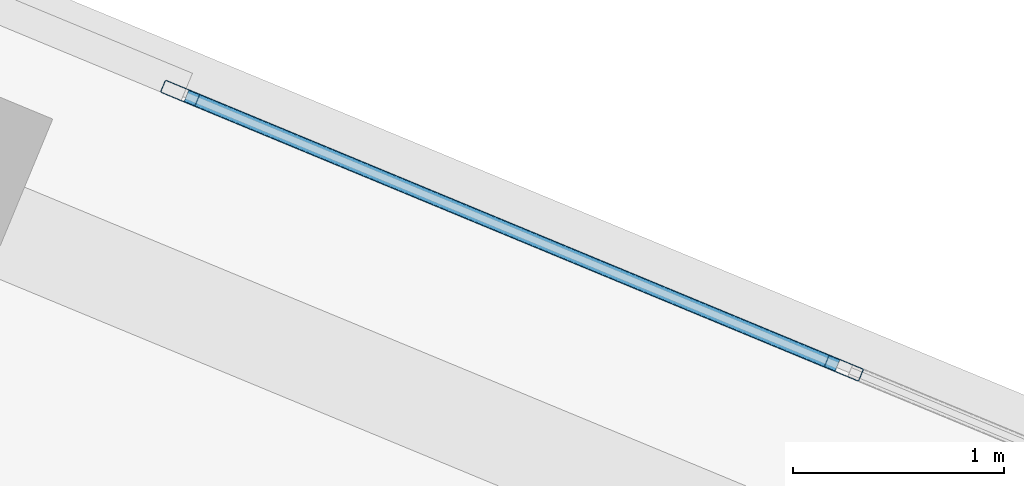
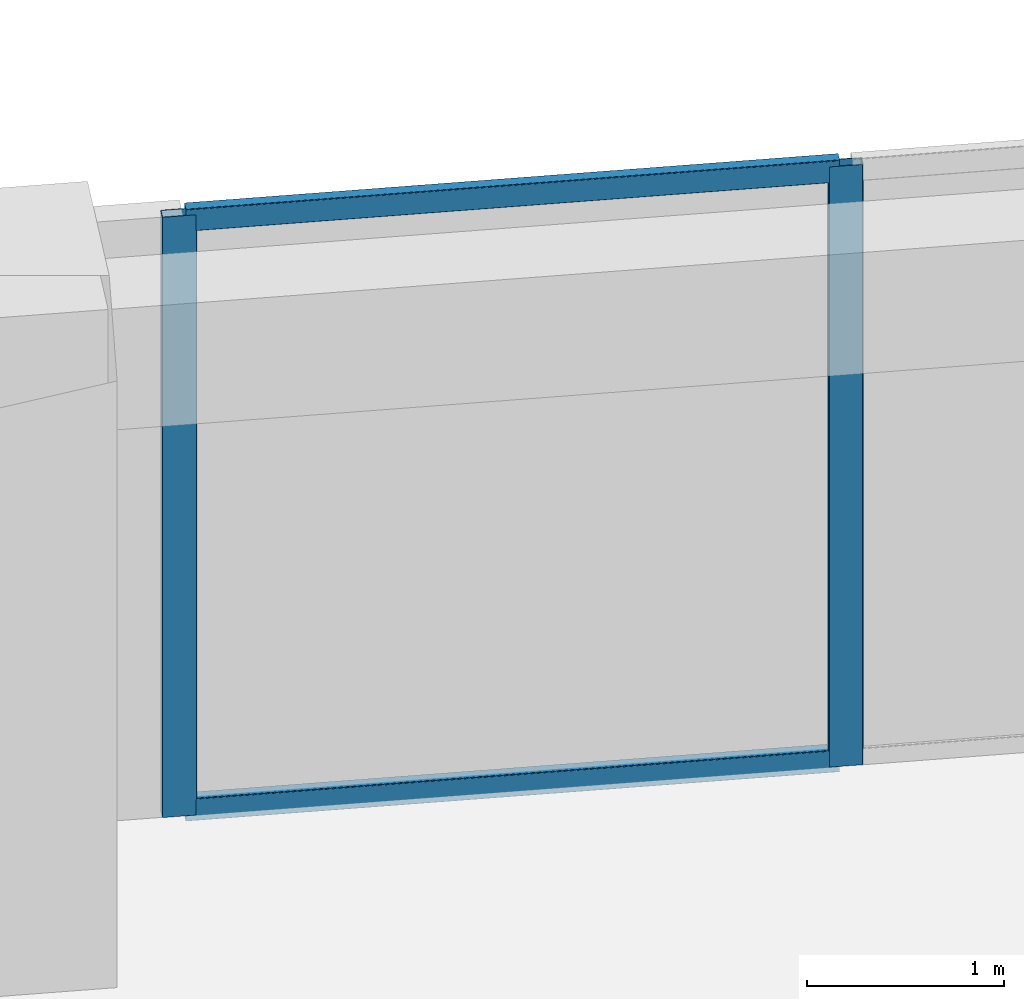
# One storey, part 16 of 24: 4 members, 1 element without a shape of its own.
"""IFC4 building model written with IfcOpenShell, lengths in metres."""

from ifc_helpers import new_model, si_unit, direction, frame, origin, origin_2d, place, context, subcontext, project, spatial, hollow_rectangle, extrude, source, transform, mapped, material, material_profile, profile_set, type_object, element, aggregate, save


model = new_model("IFC4")

# Units and contexts
model_context = context("Model", 3, precision=1e-05, world=origin(), true_north=direction((0.0, 1.0)))
body_context = subcontext(model_context, "Body", "Model", "MODEL_VIEW")
ifc_project = project(units=[si_unit("LENGTHUNIT", "METRE"), si_unit("AREAUNIT", "SQUARE_METRE"), si_unit("VOLUMEUNIT", "CUBIC_METRE"), si_unit("PLANEANGLEUNIT", "RADIAN"), si_unit("MASSUNIT", "GRAM", prefix="KILO")], contexts=[model_context])

# Site, building, storey
site_placement = place(None, origin())
site = spatial("IfcSite", under=ifc_project, at=site_placement, CompositionType="ELEMENT")
building_placement = place(site_placement, origin())
building = spatial("IfcBuilding", under=site, at=building_placement, Name="Torre Montelarca", CompositionType="ELEMENT")
storey_placement = place(building_placement, frame((0.0, 0.0, 141.39990234375)))
storey = spatial("IfcBuildingStorey", under=building, at=storey_placement, Name="L31", CompositionType="ELEMENT", Elevation=141.39990234375)

# Curtain wall, members
ifc_material_1 = material(Name="Insulated low-E laminated glass", Category="glass")
curtain_wall_type = type_object("IfcCurtainWallType", Name="CW-SYS-Z2", PredefinedType="USERDEFINED", material=ifc_material_1)
curtain_wall_placement = place(storey_placement, origin())
curtain_wall = element("IfcCurtainWall", 1, at=curtain_wall_placement, inside=storey, type_object=curtain_wall_type, Name="L31 Curtain Wall Run CW-T3-L31-E08-B4", ObjectType="UNITISED GLAZING", PredefinedType="USERDEFINED")
ifc_material_2 = material(Name="Anodised aluminium AA 6063-T6", Category="aluminium")
ifc_material_profile_1 = material_profile(ifc_material_2, hollow_rectangle(XDim=0.06494140625, YDim=0.179931640625, WallThickness=0.00390625, InnerFilletRadius=0.00390625, OuterFilletRadius=0.008056640625, at=origin_2d()), Name="ALU65X180X4", Category="aluminium")
ifc_profile_set_1 = profile_set([ifc_material_profile_1], Name="Anodised aluminium AA 6063-T6")
member_type_1 = type_object("IfcMemberType", Name="CWM-ALU180", PredefinedType="MULLION", material=ifc_profile_set_1)
shared_shape_1 = source(origin(), body_context, "Body", "SweptSolid", [
    extrude(hollow_rectangle(XDim=0.06494140625, YDim=0.179931640625, WallThickness=0.00390625, InnerFilletRadius=0.00390625, OuterFilletRadius=0.008056640625, at=origin_2d()), origin(), (0.0, 0.0, 1.0), 3.72021484375),
])
member_1_placement = place(storey_placement, frame((20.2587890625, 49.908203125, 0.0), z_axis=(0.0, 0.0, 1.0), x_axis=(-0.382686352134, -0.923878323098, 0.0)))
member_1 = element("IfcMember", 2, at=member_1_placement, type_object=member_type_1, Name="CW mullion 2", PredefinedType="MULLION", context=body_context, shape_type="MappedRepresentation", body=[
    mapped(shared_shape_1, transform((0.0, 0.0, 0.0), scale=1.0)),
])
member_2_placement = place(storey_placement, frame((17.10595703125, 51.214111328125, 0.0), z_axis=(0.0, 0.0, 1.0), x_axis=(-0.382686352134, -0.923878323098, 0.0)))
member_2 = element("IfcMember", 3, at=member_2_placement, type_object=member_type_1, Name="CW mullion 3", PredefinedType="MULLION", context=body_context, shape_type="MappedRepresentation", body=[
    mapped(shared_shape_1, transform((0.0, 0.0, 0.0), scale=1.0)),
])
ifc_material_profile_2 = material_profile(ifc_material_2, hollow_rectangle(XDim=0.06494140625, YDim=0.139892578125, WallThickness=0.00390625, InnerFilletRadius=0.00390625, OuterFilletRadius=0.008056640625, at=origin_2d()), Name="ALU65X140X4", Category="aluminium")
ifc_profile_set_2 = profile_set([ifc_material_profile_2], Name="Anodised aluminium AA 6063-T6")
member_type_2 = type_object("IfcMemberType", Name="CWT-ALU140", PredefinedType="USERDEFINED", material=ifc_profile_set_2)
shared_shape_2 = source(origin(), body_context, "Body", "SweptSolid", [
    extrude(hollow_rectangle(XDim=0.06494140625, YDim=0.139892578125, WallThickness=0.00390625, InnerFilletRadius=0.00390625, OuterFilletRadius=0.008056640625, at=origin_2d()), origin(), (0.0, 0.0, 1.0), 3.34765625),
])
member_3_placement = place(storey_placement, frame((20.228759765625, 49.920654296875, 0.03271484375), z_axis=(-0.923886169615, 0.382667408586, 0.0), x_axis=(-0.382667408586, -0.923886169615, 0.0)))
member_3 = element("IfcMember", 4, at=member_3_placement, type_object=member_type_2, Name="CW transom 2.1", ObjectType="TRANSOM", PredefinedType="USERDEFINED", context=body_context, shape_type="MappedRepresentation", body=[
    mapped(shared_shape_2, transform((0.0, 0.0, 0.0), scale=1.0)),
])
member_4_placement = place(storey_placement, frame((20.228759765625, 49.920654296875, 3.6875), z_axis=(-0.923886169615, 0.382667408586, 0.0), x_axis=(-0.382667408586, -0.923886169615, 0.0)))
member_4 = element("IfcMember", 5, at=member_4_placement, type_object=member_type_2, Name="CW transom 2.2", ObjectType="TRANSOM", PredefinedType="USERDEFINED", context=body_context, shape_type="MappedRepresentation", body=[
    mapped(shared_shape_2, transform((0.0, 0.0, 0.0), scale=1.0)),
])
aggregate(curtain_wall, [member_1, member_2, member_3, member_4])

save(model, "model.ifc")
